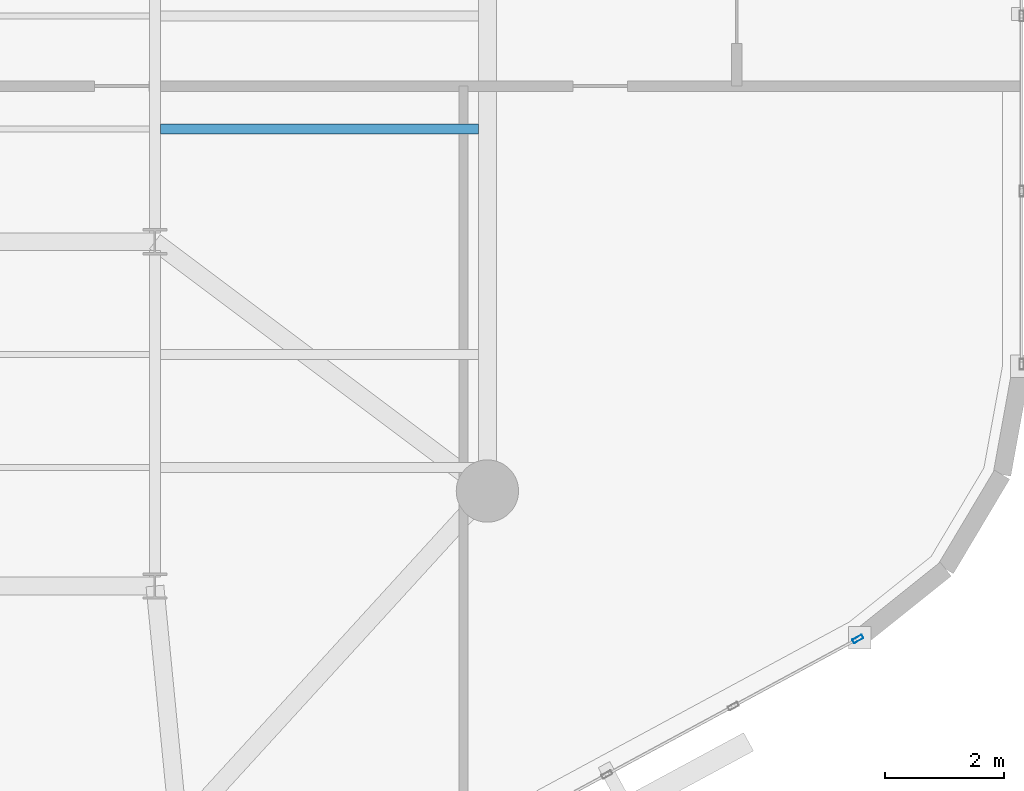
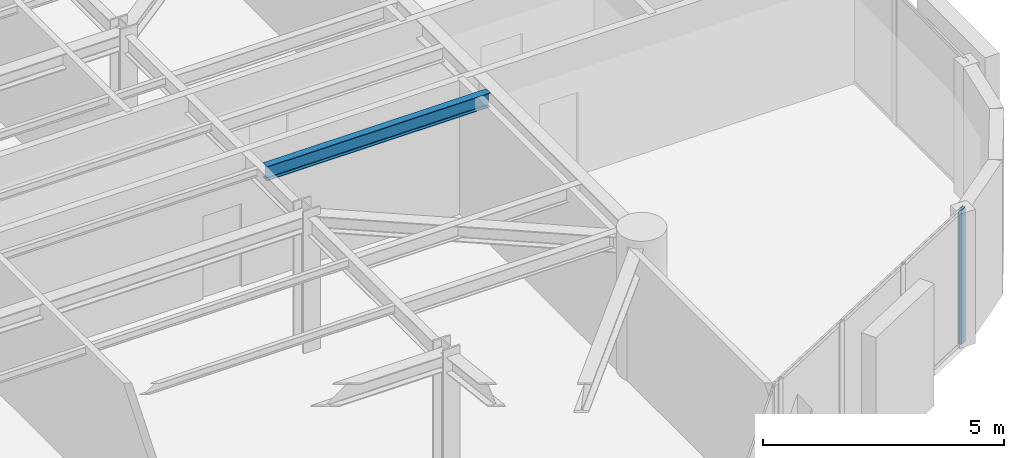
# One storey, part 3 of 13: 1 beam, 1 member, 1 element without a shape of its own.
"""IFC4 building model written with IfcOpenShell, lengths in metres."""

from ifc_helpers import new_model, si_unit, direction, frame, origin, origin_2d, place, context, subcontext, project, spatial, hollow_rectangle, i_section, extrude, material, layer, layer_set, material_profile, profile_set, type_object, element, aggregate, save


model = new_model("IFC4")

# Units and contexts
model_context = context("Model", 3, precision=1e-05, world=origin(), true_north=direction((0.0, 1.0)))
body_context = subcontext(model_context, "Body", "Model", "MODEL_VIEW")
ifc_project = project(units=[si_unit("LENGTHUNIT", "METRE"), si_unit("AREAUNIT", "SQUARE_METRE"), si_unit("VOLUMEUNIT", "CUBIC_METRE"), si_unit("PLANEANGLEUNIT", "RADIAN"), si_unit("MASSUNIT", "GRAM", prefix="KILO")], contexts=[model_context])

# Site, building, storey
site_placement = place(None, origin())
site = spatial("IfcSite", under=ifc_project, at=site_placement, CompositionType="ELEMENT")
building_placement = place(site_placement, origin())
building = spatial("IfcBuilding", under=site, at=building_placement, Name="An Khanh Terracotta Commons", CompositionType="ELEMENT")
storey_placement = place(building_placement, frame((0.0, 0.0, 204.89990234375)))
storey = spatial("IfcBuildingStorey", under=building, at=storey_placement, Name="L53", CompositionType="ELEMENT", Elevation=204.89990234375)

# Beam
ifc_material_1 = material(Name="Steel S355J2", Category="steel")
ifc_material_profile_1 = material_profile(ifc_material_1, i_section(OverallWidth=0.169921875, OverallDepth=0.360107421875, WebThickness=0.008056640625, FlangeThickness=0.0126953125, FilletRadius=0.01806640625, at=origin_2d()), Name="IPE360")
ifc_profile_set_1 = profile_set([ifc_material_profile_1], Name="Steel S355J2")
beam_type = type_object("IfcBeamType", Name="BM-IPE360", PredefinedType="JOIST", material=ifc_profile_set_1)
beam_placement = place(storey_placement, frame((54.094970703125, 22.10009765625, 3.22021484375), z_axis=(1.0, 0.0, 0.0), x_axis=(0.0, 1.0, 0.0)))
element("IfcBeam", 1, at=beam_placement, inside=storey, type_object=beam_type, Name="L53 Riverfront Composite Joist 3", PredefinedType="JOIST", context=body_context, shape_type="SweptSolid", body=[
    extrude(i_section(OverallWidth=0.169921875, OverallDepth=0.360107421875, WebThickness=0.008056640625, FlangeThickness=0.0126953125, FilletRadius=0.01806640625, at=origin_2d()), origin(), (0.0, 0.0, 1.0), 5.35498046875),
])

# Curtain wall, member
ifc_material_2 = material(Name="Anodised Aluminium 6063-T6", Category="aluminium")
ifc_layer = layer(ifc_material_2, 0.2099609375, Name="Anodised Aluminium 6063-T6")
ifc_layer_set = layer_set([ifc_layer], Name="Anodised Aluminium 6063-T6")
curtain_wall_type = type_object("IfcCurtainWallType", Name="CW-SYS-03", PredefinedType="USERDEFINED", material=ifc_layer_set)
curtain_wall_placement = place(storey_placement, origin())
curtain_wall = element("IfcCurtainWall", 2, at=curtain_wall_placement, inside=storey, type_object=curtain_wall_type, Name="L53 CW-03 Unitised Curtain Wall CW-L53-08", ObjectType="UNITISED CURTAIN WALL", PredefinedType="USERDEFINED")
ifc_material_profile_2 = material_profile(ifc_material_2, hollow_rectangle(XDim=0.070068359375, YDim=0.179931640625, WallThickness=0.00390625, InnerFilletRadius=0.00390625, OuterFilletRadius=0.008056640625, at=origin_2d()), Name="RHS180x70x4")
ifc_profile_set_2 = profile_set([ifc_material_profile_2], Name="Anodised Aluminium 6063-T6")
member_type = type_object("IfcMemberType", Name="CWM-RHS180x70x4", PredefinedType="MULLION", material=ifc_profile_set_2)
member_placement = place(storey_placement, frame((65.84130859375, 13.50927734375, 0.0), z_axis=(0.0, 0.0, 1.0), x_axis=(-0.47538088298, 0.879780095306, 0.0)))
member = element("IfcMember", 3, at=member_placement, type_object=member_type, Name="CW-03 mullion 5", PredefinedType="MULLION", context=body_context, shape_type="SweptSolid", body=[
    extrude(hollow_rectangle(XDim=0.070068359375, YDim=0.179931640625, WallThickness=0.00390625, InnerFilletRadius=0.00390625, OuterFilletRadius=0.008056640625, at=origin_2d()), origin(), (0.0, 0.0, 1.0), 3.400146484375),
])
aggregate(curtain_wall, [member])

save(model, "model.ifc")
